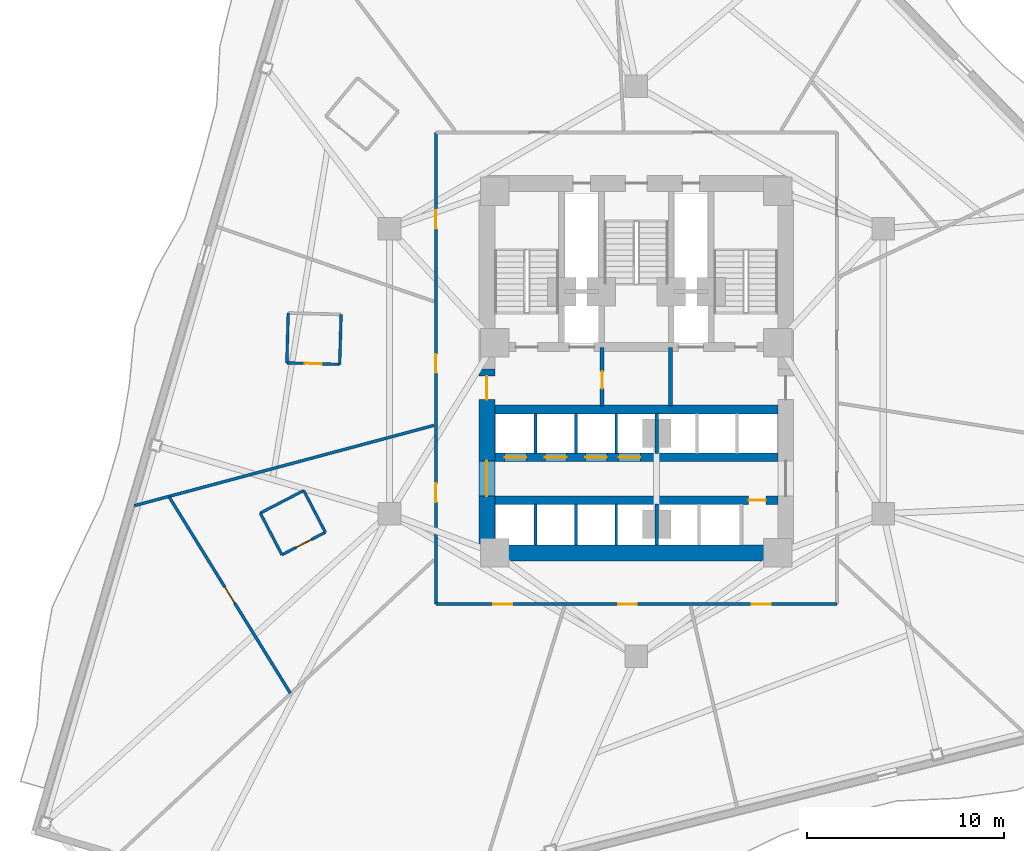
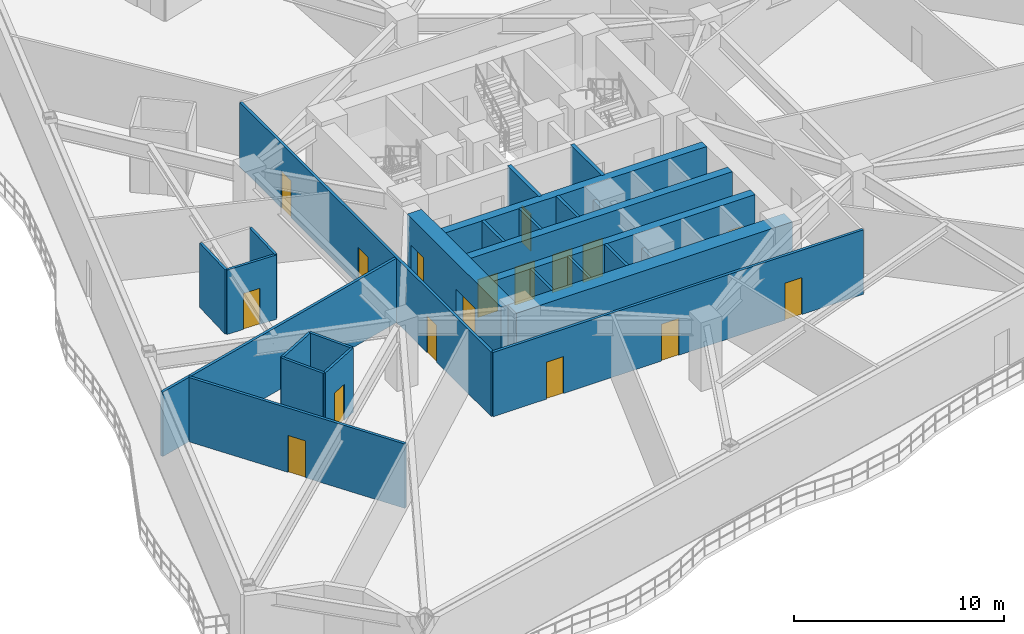
# One storey, part 3 of 10: 26 walls, 17 doors, 17 openings.
"""IFC4 building model written with IfcOpenShell, lengths in metres."""

from ifc_helpers import new_model, si_unit, direction, frame, frame_2d, origin, place, context, subcontext, project, spatial, rectangle, extrude, material, layer, layer_set, type_object, element, fill, save


model = new_model("IFC4")

# Units and contexts
model_context = context("Model", 3, precision=1e-05, world=origin(), true_north=direction((0.0, 1.0)))
body_context = subcontext(model_context, "Body", "Model", "MODEL_VIEW")
ifc_project = project(units=[si_unit("LENGTHUNIT", "METRE"), si_unit("AREAUNIT", "SQUARE_METRE"), si_unit("VOLUMEUNIT", "CUBIC_METRE"), si_unit("PLANEANGLEUNIT", "RADIAN"), si_unit("MASSUNIT", "GRAM", prefix="KILO")], contexts=[model_context])

# Site, building, storey
site_placement = place(None, origin())
site = spatial("IfcSite", under=ifc_project, at=site_placement, CompositionType="ELEMENT")
building_placement = place(site_placement, origin())
building = spatial("IfcBuilding", under=site, at=building_placement, Name="Apsidion Concourse Tower", CompositionType="ELEMENT")
storey_placement = place(building_placement, frame((0.0, 0.0, 115.0)))
storey = spatial("IfcBuildingStorey", under=building, at=storey_placement, Name="L26", CompositionType="ELEMENT", Elevation=115.0)

# Walls
ifc_material_1 = material(Name="Gypsum plasterboard partition")
ifc_layer_1 = layer(ifc_material_1, 0.139892578125)
ifc_layer_set_1 = layer_set([ifc_layer_1], Name="Gypsum plasterboard partition")
wall_type_1 = type_object("IfcWallType", Name="WL-INT-PAR-140", PredefinedType="PARTITIONING", material=ifc_layer_set_1)
wall_1_placement = place(storey_placement, frame((-16.921875, -6.073486328125, 0.0), z_axis=(0.0, 0.0, 1.0), x_axis=(-0.887781243054, -0.460265645559, 0.0)))
element("IfcWall", 1, at=wall_1_placement, inside=storey, type_object=wall_type_1, Name="L26 Interior Partition WL-L26-POD-HKAWC-S1", PredefinedType="PARTITIONING", context=body_context, shape_type="SweptSolid", body=[
    extrude(rectangle(XDim=2.48974609375, YDim=0.139892578125, at=frame_2d((1.244873046875, 0.0))), origin(), (0.0, 0.0, 1.0), 3.75),
])
wall_2_placement = place(storey_placement, frame((-19.13232421875, -7.219482421875, 0.0), z_axis=(0.0, 0.0, 1.0), x_axis=(0.460200871333, -0.887814821922, 0.0)))
element("IfcWall", 2, at=wall_2_placement, inside=storey, type_object=wall_type_1, Name="L26 Interior Partition WL-L26-POD-HKAWC-S2", PredefinedType="PARTITIONING", context=body_context, shape_type="SweptSolid", body=[
    extrude(rectangle(XDim=2.389892578125, YDim=0.139892578125, at=frame_2d((1.19482421875, 0.0))), origin(), (0.0, 0.0, 1.0), 3.75),
])

# Wall, opening, door
wall_3_placement = place(storey_placement, frame((-18.032470703125, -9.34130859375, 0.0), z_axis=(0.0, 0.0, 1.0), x_axis=(0.887821307868, 0.460188358496, 0.0)))
wall_3 = element("IfcWall", 3, at=wall_3_placement, inside=storey, type_object=wall_type_1, Name="L26 Interior Partition WL-L26-POD-HKAWC-S3", PredefinedType="PARTITIONING", context=body_context, shape_type="SweptSolid", body=[
    extrude(rectangle(XDim=2.48974609375, YDim=0.139892578125, at=frame_2d((1.244873046875, 0.0))), origin(), (0.0, 0.0, 1.0), 3.75),
])
opening_1_placement = place(wall_3_placement, frame((0.804931640625, 0.0, 0.0)))
opening_1 = element("IfcOpeningElement", 4, at=opening_1_placement, cuts=wall_3, Name="Opening D-03L", PredefinedType="OPENING", context=body_context, shape_type="SweptSolid", body=[
    extrude(rectangle(XDim=0.8798828125, YDim=2.10009765625, at=frame_2d((0.43994140625, 1.050048828125))), frame((0.0, 0.080078125, 0.0), z_axis=(0.0, -1.0, 0.0), x_axis=(1.0, 0.0, 0.0)), (0.0, 0.0, 1.0), 0.159912109375),
])
ifc_material_2 = material(Name="Anodised aluminium EN AW-6063 T6", Category="aluminium")
door_type_1 = type_object("IfcDoorType", Name="DR-INT-D03L", OperationType="SINGLE_SWING_LEFT", PredefinedType="DOOR", material=ifc_material_2)
door_1_placement = place(opening_1_placement, origin())
door_1 = element("IfcDoor", 5, at=door_1_placement, inside=storey, type_object=door_type_1, Name="L26 Hotel Accessible WC Door HKAWC", OperationType="SINGLE_SWING_LEFT", OverallHeight=2.10009765625, OverallWidth=0.8798828125, PredefinedType="DOOR", context=body_context, shape_type="SweptSolid", body=[
    extrude(rectangle(XDim=0.8798828125, YDim=2.10009765625, at=frame_2d((0.43994140625, 1.050048828125))), frame((0.0, 0.02490234375, 0.0), z_axis=(0.0, -1.0, 0.0), x_axis=(1.0, 0.0, 0.0)), (0.0, 0.0, 1.0), 0.050048828125),
])
fill(opening_1, door_1)

# Walls
wall_4_placement = place(storey_placement, frame((-15.822021484375, -8.195556640625, 0.0), z_axis=(0.0, 0.0, 1.0), x_axis=(-0.460159137491, 0.887836453511, 0.0)))
element("IfcWall", 6, at=wall_4_placement, inside=storey, type_object=wall_type_1, Name="L26 Interior Partition WL-L26-POD-HKAWC-S4", PredefinedType="PARTITIONING", context=body_context, shape_type="SweptSolid", body=[
    extrude(rectangle(XDim=2.39013671875, YDim=0.139892578125, at=frame_2d((1.195068359375, 0.0))), origin(), (0.0, 0.0, 1.0), 3.75),
])
wall_5_placement = place(storey_placement, frame((-17.711181640625, 2.959716796875, 0.0), z_axis=(0.0, 0.0, 1.0), x_axis=(-0.027873780836, -0.999611450686, 0.0)))
element("IfcWall", 7, at=wall_5_placement, inside=storey, type_object=wall_type_1, Name="L26 Interior Partition WL-L26-POD-ENS10-S2", PredefinedType="PARTITIONING", context=body_context, shape_type="SweptSolid", body=[
    extrude(rectangle(XDim=2.5400390625, YDim=0.139892578125, at=frame_2d((1.27001953125, 0.0))), origin(), (0.0, 0.0, 1.0), 3.75),
])

# Wall, opening, door
wall_6_placement = place(storey_placement, frame((-17.781982421875, 0.420654296875, 0.0), z_axis=(0.0, 0.0, 1.0), x_axis=(0.999609225093, -0.027953481145, 0.0)))
wall_6 = element("IfcWall", 8, at=wall_6_placement, inside=storey, type_object=wall_type_1, Name="L26 Interior Partition WL-L26-POD-ENS10-S3", PredefinedType="PARTITIONING", context=body_context, shape_type="SweptSolid", body=[
    extrude(rectangle(XDim=2.68994140625, YDim=0.139892578125, at=frame_2d((1.344970703125, 0.0))), origin(), (0.0, 0.0, 1.0), 3.75),
])
opening_2_placement = place(wall_6_placement, frame((0.905029296875, 0.0, 0.0)))
opening_2 = element("IfcOpeningElement", 9, at=opening_2_placement, cuts=wall_6, Name="Opening D-03L", PredefinedType="OPENING", context=body_context, shape_type="SweptSolid", body=[
    extrude(rectangle(XDim=0.8798828125, YDim=2.10009765625, at=frame_2d((0.43994140625, 1.050048828125))), frame((0.0, 0.080078125, 0.0), z_axis=(0.0, -1.0, 0.0), x_axis=(1.0, 0.0, 0.0)), (0.0, 0.0, 1.0), 0.159912109375),
])
door_2_placement = place(opening_2_placement, origin())
door_2 = element("IfcDoor", 10, at=door_2_placement, inside=storey, type_object=door_type_1, Name="L26 Guest En-Suite Bathroom Door ENS10", OperationType="SINGLE_SWING_LEFT", OverallHeight=2.10009765625, OverallWidth=0.8798828125, PredefinedType="DOOR", context=body_context, shape_type="SweptSolid", body=[
    extrude(rectangle(XDim=0.8798828125, YDim=2.10009765625, at=frame_2d((0.43994140625, 1.050048828125))), frame((0.0, 0.02490234375, 0.0), z_axis=(0.0, -1.0, 0.0), x_axis=(1.0, 0.0, 0.0)), (0.0, 0.0, 1.0), 0.050048828125),
])
fill(opening_2, door_2)

# Walls
wall_7_placement = place(storey_placement, frame((-15.093017578125, 0.345458984375, 0.0), z_axis=(0.0, 0.0, 1.0), x_axis=(0.027873780836, 0.999611450686, 0.0)))
element("IfcWall", 11, at=wall_7_placement, inside=storey, type_object=wall_type_1, Name="L26 Interior Partition WL-L26-POD-ENS10-S4", PredefinedType="PARTITIONING", context=body_context, shape_type="SweptSolid", body=[
    extrude(rectangle(XDim=2.5400390625, YDim=0.139892578125, at=frame_2d((1.27001953125, 0.0))), origin(), (0.0, 0.0, 1.0), 3.75),
])
ifc_layer_2 = layer(ifc_material_1, 0.14990234375)
ifc_layer_set_2 = layer_set([ifc_layer_2], Name="Gypsum plasterboard partition")
wall_type_2 = type_object("IfcWallType", Name="WL-INT-PAR-150", PredefinedType="PARTITIONING", material=ifc_layer_set_2)
for number, where, z_axis, x_axis, name in (
    (12, (-5.125, -4.179931640625, 0.0), (0.0, 0.0, 1.0), (0.0, 1.0, 0.0), "L26 Interior Partition WL-L26-B1DIV-1"),
    (13, (-3.074951171875, -4.179931640625, 0.0), (0.0, 0.0, 1.0), (0.0, 1.0, 0.0), "L26 Interior Partition WL-L26-B1DIV-2"),
    (14, (-1.02490234375, -4.179931640625, 0.0), (0.0, 0.0, 1.0), (0.0, 1.0, 0.0), "L26 Interior Partition WL-L26-B1DIV-3"),
):
    element("IfcWall", number, at=place(storey_placement, frame(where, z_axis=z_axis, x_axis=x_axis)), inside=storey, type_object=wall_type_2, Name=name, PredefinedType="PARTITIONING", context=body_context, shape_type="SweptSolid", body=[
        extrude(rectangle(XDim=2.030029296875, YDim=0.14990234375, at=frame_2d((1.01513671875, 0.0))), origin(), (0.0, 0.0, 1.0), 3.75),
    ])
for number, where, z_axis, x_axis, name in (
    (15, (-5.125, -8.85009765625, 0.0), (0.0, 0.0, 1.0), (0.0, 1.0, 0.0), "L26 Interior Partition WL-L26-B2DIV-1"),
    (16, (-3.074951171875, -8.85009765625, 0.0), (0.0, 0.0, 1.0), (0.0, 1.0, 0.0), "L26 Interior Partition WL-L26-B2DIV-2"),
    (17, (-1.02490234375, -8.85009765625, 0.0), (0.0, 0.0, 1.0), (0.0, 1.0, 0.0), "L26 Interior Partition WL-L26-B2DIV-3"),
):
    element("IfcWall", number, at=place(storey_placement, frame(where, z_axis=z_axis, x_axis=x_axis)), inside=storey, type_object=wall_type_2, Name=name, PredefinedType="PARTITIONING", context=body_context, shape_type="SweptSolid", body=[
        extrude(rectangle(XDim=2.080078125, YDim=0.14990234375, at=frame_2d((1.0400390625, 0.0))), origin(), (0.0, 0.0, 1.0), 3.75),
    ])

# Wall, openings, doors
wall_8_placement = place(storey_placement, frame((10.199951171875, -11.85009765625, 0.0), z_axis=(0.0, 0.0, 1.0), x_axis=(-1.0, 0.0, 0.0)))
wall_8 = element("IfcWall", 18, at=wall_8_placement, inside=storey, type_object=wall_type_2, Name="L26 Interior Partition WL-L26-CORR-03", PredefinedType="PARTITIONING", context=body_context, shape_type="SweptSolid", body=[
    extrude(rectangle(XDim=20.39990234375, YDim=0.14990234375, at=frame_2d((10.199951171875, 0.0))), origin(), (0.0, 0.0, 1.0), 3.75),
])
opening_3_placement = place(wall_8_placement, frame((16.522216796875, 0.0, 0.0)))
opening_3 = element("IfcOpeningElement", 19, at=opening_3_placement, cuts=wall_8, Name="Opening D-01R", PredefinedType="OPENING", context=body_context, shape_type="SweptSolid", body=[
    extrude(rectangle(XDim=0.949951171875, YDim=2.14990234375, at=frame_2d((0.47509765625, 1.074951171875))), frame((0.0, 0.0849609375, 0.0), z_axis=(0.0, -1.0, 0.0), x_axis=(1.0, 0.0, 0.0)), (0.0, 0.0, 1.0), 0.169921875),
])
opening_4_placement = place(wall_8_placement, frame((10.171875, 0.0, 0.0)))
opening_4 = element("IfcOpeningElement", 20, at=opening_4_placement, cuts=wall_8, Name="Opening D-01L", PredefinedType="OPENING", context=body_context, shape_type="SweptSolid", body=[
    extrude(rectangle(XDim=0.949951171875, YDim=2.14990234375, at=frame_2d((0.47509765625, 1.074951171875))), frame((0.0, 0.0849609375, 0.0), z_axis=(0.0, -1.0, 0.0), x_axis=(1.0, 0.0, 0.0)), (0.0, 0.0, 1.0), 0.169921875),
])
opening_5_placement = place(wall_8_placement, frame((3.37451171875, 0.0, 0.0)))
opening_5 = element("IfcOpeningElement", 21, at=opening_5_placement, cuts=wall_8, Name="Opening D-01R", PredefinedType="OPENING", context=body_context, shape_type="SweptSolid", body=[
    extrude(rectangle(XDim=0.949951171875, YDim=2.14990234375, at=frame_2d((0.47509765625, 1.074951171875))), frame((0.0, 0.0849609375, 0.0), z_axis=(0.0, -1.0, 0.0), x_axis=(1.0, 0.0, 0.0)), (0.0, 0.0, 1.0), 0.169921875),
])
ifc_material_3 = material(Name="Brushed stainless steel 316", Category="steel")
door_type_2 = type_object("IfcDoorType", Name="DR-INT-D01L", OperationType="SINGLE_SWING_LEFT", PredefinedType="DOOR", material=ifc_material_3)
door_3_placement = place(opening_4_placement, origin())
door_3 = element("IfcDoor", 22, at=door_3_placement, inside=storey, type_object=door_type_2, Name="L26 Corridor Entry Door 03", OperationType="SINGLE_SWING_LEFT", OverallHeight=2.14990234375, OverallWidth=0.949951171875, PredefinedType="DOOR", context=body_context, shape_type="SweptSolid", body=[
    extrude(rectangle(XDim=0.949951171875, YDim=2.14990234375, at=frame_2d((0.47509765625, 1.074951171875))), frame((0.0, 0.02490234375, 0.0), z_axis=(0.0, -1.0, 0.0), x_axis=(1.0, 0.0, 0.0)), (0.0, 0.0, 1.0), 0.050048828125),
])
fill(opening_4, door_3)
door_type_3 = type_object("IfcDoorType", Name="DR-INT-D01R", OperationType="SINGLE_SWING_RIGHT", PredefinedType="DOOR", material=ifc_material_3)
door_4_placement = place(opening_3_placement, origin())
door_4 = element("IfcDoor", 23, at=door_4_placement, inside=storey, type_object=door_type_3, Name="L26 Corridor Entry Door 02", OperationType="SINGLE_SWING_RIGHT", OverallHeight=2.14990234375, OverallWidth=0.949951171875, PredefinedType="DOOR", context=body_context, shape_type="SweptSolid", body=[
    extrude(rectangle(XDim=0.949951171875, YDim=2.14990234375, at=frame_2d((0.47509765625, 1.074951171875))), frame((0.0, 0.02490234375, 0.0), z_axis=(0.0, -1.0, 0.0), x_axis=(1.0, 0.0, 0.0)), (0.0, 0.0, 1.0), 0.050048828125),
])
fill(opening_3, door_4)
door_5_placement = place(opening_5_placement, origin())
door_5 = element("IfcDoor", 24, at=door_5_placement, inside=storey, type_object=door_type_3, Name="L26 Corridor Entry Door 04", OperationType="SINGLE_SWING_RIGHT", OverallHeight=2.14990234375, OverallWidth=0.949951171875, PredefinedType="DOOR", context=body_context, shape_type="SweptSolid", body=[
    extrude(rectangle(XDim=0.949951171875, YDim=2.14990234375, at=frame_2d((0.47509765625, 1.074951171875))), frame((0.0, 0.02490234375, 0.0), z_axis=(0.0, -1.0, 0.0), x_axis=(1.0, 0.0, 0.0)), (0.0, 0.0, 1.0), 0.050048828125),
])
fill(opening_5, door_5)

wall_9_placement = place(storey_placement, frame((-10.199951171875, -11.85009765625, 0.0), z_axis=(0.0, 0.0, 1.0), x_axis=(0.0, 1.0, 0.0)))
wall_9 = element("IfcWall", 25, at=wall_9_placement, inside=storey, type_object=wall_type_2, Name="L26 Interior Partition WL-L26-CORR-04", PredefinedType="PARTITIONING", context=body_context, shape_type="SweptSolid", body=[
    extrude(rectangle(XDim=24.0, YDim=0.14990234375, at=frame_2d((12.0, 0.0))), origin(), (0.0, 0.0, 1.0), 3.75),
])
opening_6_placement = place(wall_9_placement, frame((5.1865234375, 0.0, 0.0)))
opening_6 = element("IfcOpeningElement", 26, at=opening_6_placement, cuts=wall_9, Name="Opening D-01L", PredefinedType="OPENING", context=body_context, shape_type="SweptSolid", body=[
    extrude(rectangle(XDim=0.949951171875, YDim=2.14990234375, at=frame_2d((0.47509765625, 1.074951171875))), frame((0.0, 0.0849609375, 0.0), z_axis=(0.0, -1.0, 0.0), x_axis=(1.0, 0.0, 0.0)), (0.0, 0.0, 1.0), 0.169921875),
])
opening_7_placement = place(wall_9_placement, frame((19.094482421875, 0.0, 0.0)))
opening_7 = element("IfcOpeningElement", 27, at=opening_7_placement, cuts=wall_9, Name="Opening D-01R", PredefinedType="OPENING", context=body_context, shape_type="SweptSolid", body=[
    extrude(rectangle(XDim=0.949951171875, YDim=2.14990234375, at=frame_2d((0.47509765625, 1.074951171875))), frame((0.0, 0.0849609375, 0.0), z_axis=(0.0, -1.0, 0.0), x_axis=(1.0, 0.0, 0.0)), (0.0, 0.0, 1.0), 0.169921875),
])
opening_8_placement = place(wall_9_placement, frame((11.767333984375, 0.0, 0.0)))
opening_8 = element("IfcOpeningElement", 28, at=opening_8_placement, cuts=wall_9, Name="Opening D-01L", PredefinedType="OPENING", context=body_context, shape_type="SweptSolid", body=[
    extrude(rectangle(XDim=0.949951171875, YDim=2.14990234375, at=frame_2d((0.47509765625, 1.074951171875))), frame((0.0, 0.0849609375, 0.0), z_axis=(0.0, -1.0, 0.0), x_axis=(1.0, 0.0, 0.0)), (0.0, 0.0, 1.0), 0.169921875),
])
door_6_placement = place(opening_6_placement, origin())
door_6 = element("IfcDoor", 29, at=door_6_placement, inside=storey, type_object=door_type_2, Name="L26 Corridor Entry Door 01", OperationType="SINGLE_SWING_LEFT", OverallHeight=2.14990234375, OverallWidth=0.949951171875, PredefinedType="DOOR", context=body_context, shape_type="SweptSolid", body=[
    extrude(rectangle(XDim=0.949951171875, YDim=2.14990234375, at=frame_2d((0.47509765625, 1.074951171875))), frame((0.0, 0.02490234375, 0.0), z_axis=(0.0, -1.0, 0.0), x_axis=(1.0, 0.0, 0.0)), (0.0, 0.0, 1.0), 0.050048828125),
])
fill(opening_6, door_6)
door_7_placement = place(opening_8_placement, origin())
door_7 = element("IfcDoor", 30, at=door_7_placement, inside=storey, type_object=door_type_2, Name="L26 Corridor Entry Door 11", OperationType="SINGLE_SWING_LEFT", OverallHeight=2.14990234375, OverallWidth=0.949951171875, PredefinedType="DOOR", context=body_context, shape_type="SweptSolid", body=[
    extrude(rectangle(XDim=0.949951171875, YDim=2.14990234375, at=frame_2d((0.47509765625, 1.074951171875))), frame((0.0, 0.02490234375, 0.0), z_axis=(0.0, -1.0, 0.0), x_axis=(1.0, 0.0, 0.0)), (0.0, 0.0, 1.0), 0.050048828125),
])
fill(opening_8, door_7)
door_8_placement = place(opening_7_placement, origin())
door_8 = element("IfcDoor", 31, at=door_8_placement, inside=storey, type_object=door_type_3, Name="L26 Corridor Entry Door 10", OperationType="SINGLE_SWING_RIGHT", OverallHeight=2.14990234375, OverallWidth=0.949951171875, PredefinedType="DOOR", context=body_context, shape_type="SweptSolid", body=[
    extrude(rectangle(XDim=0.949951171875, YDim=2.14990234375, at=frame_2d((0.47509765625, 1.074951171875))), frame((0.0, 0.02490234375, 0.0), z_axis=(0.0, -1.0, 0.0), x_axis=(1.0, 0.0, 0.0)), (0.0, 0.0, 1.0), 0.050048828125),
])
fill(opening_7, door_8)

# Wall
wall_10_placement = place(storey_placement, frame((-10.304931640625, -2.76123046875, 0.0), z_axis=(0.0, 0.0, 1.0), x_axis=(-0.965926903589, -0.258815024531, 0.0)))
element("IfcWall", 32, at=wall_10_placement, inside=storey, type_object=wall_type_2, Name="L26 Interior Partition WL-L26-RAD-06-1", PredefinedType="PARTITIONING", context=body_context, shape_type="SweptSolid", body=[
    extrude(rectangle(XDim=15.768310546875, YDim=0.14990234375, at=frame_2d((7.88427734375, 0.0))), origin(), (0.0, 0.0, 1.0), 3.75),
])

# Wall, opening, door
wall_11_placement = place(storey_placement, frame((-23.771240234375, -6.3955078125, 0.0), z_axis=(0.0, 0.0, 1.0), x_axis=(0.525453466411, -0.850822340232, 0.0)))
wall_11 = element("IfcWall", 33, at=wall_11_placement, inside=storey, type_object=wall_type_2, Name="L26 Interior Partition WL-L26-CHD-HKWC", PredefinedType="PARTITIONING", context=body_context, shape_type="SweptSolid", body=[
    extrude(rectangle(XDim=11.737060546875, YDim=0.14990234375, at=frame_2d((5.86865234375, 0.0))), origin(), (0.0, 0.0, 1.0), 3.75),
])
opening_9_placement = place(wall_11_placement, frame((5.3935546875, 0.0, 0.0)))
opening_9 = element("IfcOpeningElement", 34, at=opening_9_placement, cuts=wall_11, Name="Opening D-04R", PredefinedType="OPENING", context=body_context, shape_type="SweptSolid", body=[
    extrude(rectangle(XDim=0.949951171875, YDim=2.14990234375, at=frame_2d((0.47509765625, 1.074951171875))), frame((0.0, 0.0849609375, 0.0), z_axis=(0.0, -1.0, 0.0), x_axis=(1.0, 0.0, 0.0)), (0.0, 0.0, 1.0), 0.169921875),
])
door_type_4 = type_object("IfcDoorType", Name="DR-INT-D04R", OperationType="SINGLE_SWING_RIGHT", PredefinedType="DOOR", material=ifc_material_3)
door_9_placement = place(opening_9_placement, origin())
door_9 = element("IfcDoor", 35, at=door_9_placement, inside=storey, type_object=door_type_4, Name="L26 Suite Connecting Door HKWC", OperationType="SINGLE_SWING_RIGHT", OverallHeight=2.14990234375, OverallWidth=0.949951171875, PredefinedType="DOOR", context=body_context, shape_type="SweptSolid", body=[
    extrude(rectangle(XDim=0.949951171875, YDim=2.14990234375, at=frame_2d((0.47509765625, 1.074951171875))), frame((0.0, 0.02490234375, 0.0), z_axis=(0.0, -1.0, 0.0), x_axis=(1.0, 0.0, 0.0)), (0.0, 0.0, 1.0), 0.050048828125),
])
fill(opening_9, door_9)

# Walls
ifc_layer_3 = layer(ifc_material_1, 0.179931640625)
ifc_layer_set_3 = layer_set([ifc_layer_3], Name="Gypsum plasterboard partition")
wall_type_3 = type_object("IfcWallType", Name="WL-INT-PAR-180", PredefinedType="PARTITIONING", material=ifc_layer_set_3)
wall_12_placement = place(storey_placement, frame((1.02490234375, -4.179931640625, 0.0), z_axis=(0.0, 0.0, 1.0), x_axis=(0.0, 1.0, 0.0)))
element("IfcWall", 36, at=wall_12_placement, inside=storey, type_object=wall_type_3, Name="L26 Interior Partition WL-L26-B1END", PredefinedType="PARTITIONING", context=body_context, shape_type="SweptSolid", body=[
    extrude(rectangle(XDim=2.030029296875, YDim=0.179931640625, at=frame_2d((1.01513671875, 0.0))), origin(), (0.0, 0.0, 1.0), 2.798095703125),
])
wall_13_placement = place(storey_placement, frame((1.02490234375, -8.85009765625, 0.0), z_axis=(0.0, 0.0, 1.0), x_axis=(0.0, 1.0, 0.0)))
element("IfcWall", 37, at=wall_13_placement, inside=storey, type_object=wall_type_3, Name="L26 Interior Partition WL-L26-B2END", PredefinedType="PARTITIONING", context=body_context, shape_type="SweptSolid", body=[
    extrude(rectangle(XDim=2.080078125, YDim=0.179931640625, at=frame_2d((1.0400390625, 0.0))), origin(), (0.0, 0.0, 1.0), 2.798095703125),
])

# Wall, opening, door
ifc_layer_4 = layer(ifc_material_1, 0.199951171875)
ifc_layer_set_4 = layer_set([ifc_layer_4], Name="Gypsum plasterboard partition")
wall_type_4 = type_object("IfcWallType", Name="WL-INT-PAR-200", PredefinedType="PARTITIONING", material=ifc_layer_set_4)
wall_14_placement = place(storey_placement, frame((-1.739990234375, -1.780029296875, 0.0), z_axis=(0.0, 0.0, 1.0), x_axis=(0.0, 1.0, 0.0)))
wall_14 = element("IfcWall", 38, at=wall_14_placement, inside=storey, type_object=wall_type_4, Name="L26 Interior Partition WL-L26-FF1-E", PredefinedType="PARTITIONING", context=body_context, shape_type="SweptSolid", body=[
    extrude(rectangle(XDim=2.97998046875, YDim=0.199951171875, at=frame_2d((1.489990234375, 0.0))), origin(), (0.0, 0.0, 1.0), 3.75),
])
opening_10_placement = place(wall_14_placement, frame((0.889892578125, 0.0, 0.0)))
opening_10 = element("IfcOpeningElement", 39, at=opening_10_placement, cuts=wall_14, Name="Opening D-05R", PredefinedType="OPENING", context=body_context, shape_type="SweptSolid", body=[
    extrude(rectangle(XDim=0.8798828125, YDim=2.14990234375, at=frame_2d((0.43994140625, 1.074951171875))), frame((0.0, 0.10986328125, 0.0), z_axis=(0.0, -1.0, 0.0), x_axis=(1.0, 0.0, 0.0)), (0.0, 0.0, 1.0), 0.219970703125),
])
door_type_5 = type_object("IfcDoorType", Name="DR-INT-D05R", OperationType="SINGLE_SWING_RIGHT", PredefinedType="DOOR", material=ifc_material_3)
door_10_placement = place(opening_10_placement, origin())
door_10 = element("IfcDoor", 40, at=door_10_placement, inside=storey, type_object=door_type_5, Name="L26 Core BMS Door", OperationType="SINGLE_SWING_RIGHT", OverallHeight=2.14990234375, OverallWidth=0.8798828125, PredefinedType="DOOR", context=body_context, shape_type="SweptSolid", body=[
    extrude(rectangle(XDim=0.8798828125, YDim=2.14990234375, at=frame_2d((0.43994140625, 1.074951171875))), frame((0.0, 0.02490234375, 0.0), z_axis=(0.0, -1.0, 0.0), x_axis=(1.0, 0.0, 0.0)), (0.0, 0.0, 1.0), 0.050048828125),
])
fill(opening_10, door_10)

# Walls
wall_15_placement = place(storey_placement, frame((1.739990234375, -1.780029296875, 0.0), z_axis=(0.0, 0.0, 1.0), x_axis=(0.0, 1.0, 0.0)))
element("IfcWall", 41, at=wall_15_placement, inside=storey, type_object=wall_type_4, Name="L26 Interior Partition WL-L26-FF2-W", PredefinedType="PARTITIONING", context=body_context, shape_type="SweptSolid", body=[
    extrude(rectangle(XDim=2.97998046875, YDim=0.199951171875, at=frame_2d((1.489990234375, 0.0))), origin(), (0.0, 0.0, 1.0), 3.75),
])
ifc_material_4 = material(Name="Concrete C60/75", Category="concrete")
ifc_layer_5 = layer(ifc_material_4, 0.449951171875)
ifc_layer_set_5 = layer_set([ifc_layer_5], Name="Concrete C60/75")
wall_type_5 = type_object("IfcWallType", Name="WL-SH-450", PredefinedType="SHEAR", material=ifc_layer_set_5)
wall_16_placement = place(storey_placement, frame((-7.199951171875, -1.949951171875, 0.0), z_axis=(0.0, 0.0, 1.0), x_axis=(1.0, 0.0, 0.0)))
element("IfcWall", 42, at=wall_16_placement, inside=storey, type_object=wall_type_5, Name="L26 Central Core Shear Wall M2", PredefinedType="SHEAR", context=body_context, shape_type="SweptSolid", body=[
    extrude(rectangle(XDim=14.39990234375, YDim=0.449951171875, at=frame_2d((7.199951171875, 0.0))), origin(), (0.0, 0.0, 1.0), 3.75),
])

# Wall, openings, doors
wall_17_placement = place(storey_placement, frame((-7.199951171875, -4.3798828125, 0.0), z_axis=(0.0, 0.0, 1.0), x_axis=(1.0, 0.0, 0.0)))
wall_17 = element("IfcWall", 43, at=wall_17_placement, inside=storey, type_object=wall_type_5, Name="L26 Central Core Shear Wall LA", PredefinedType="SHEAR", context=body_context, shape_type="SweptSolid", body=[
    extrude(rectangle(XDim=14.39990234375, YDim=0.449951171875, at=frame_2d((7.199951171875, 0.0))), origin(), (0.0, 0.0, 1.0), 3.75),
])
opening_11_placement = place(wall_17_placement, frame((0.5, 0.0, 0.0)))
opening_11 = element("IfcOpeningElement", 44, at=opening_11_placement, cuts=wall_17, Name="Opening LD-P1", PredefinedType="OPENING", context=body_context, shape_type="SweptSolid", body=[
    extrude(rectangle(XDim=1.10009765625, YDim=2.199951171875, at=frame_2d((0.550048828125, 1.10009765625))), frame((0.0, 0.23486328125, 0.0), z_axis=(0.0, -1.0, 0.0), x_axis=(1.0, 0.0, 0.0)), (0.0, 0.0, 1.0), 0.469970703125),
])
opening_12_placement = place(wall_17_placement, frame((2.550048828125, 0.0, 0.0)))
opening_12 = element("IfcOpeningElement", 45, at=opening_12_placement, cuts=wall_17, Name="Opening LD-P1", PredefinedType="OPENING", context=body_context, shape_type="SweptSolid", body=[
    extrude(rectangle(XDim=1.10009765625, YDim=2.199951171875, at=frame_2d((0.550048828125, 1.10009765625))), frame((0.0, 0.23486328125, 0.0), z_axis=(0.0, -1.0, 0.0), x_axis=(1.0, 0.0, 0.0)), (0.0, 0.0, 1.0), 0.469970703125),
])
opening_13_placement = place(wall_17_placement, frame((4.60009765625, 0.0, 0.0)))
opening_13 = element("IfcOpeningElement", 46, at=opening_13_placement, cuts=wall_17, Name="Opening LD-P1", PredefinedType="OPENING", context=body_context, shape_type="SweptSolid", body=[
    extrude(rectangle(XDim=1.10009765625, YDim=2.199951171875, at=frame_2d((0.550048828125, 1.10009765625))), frame((0.0, 0.23486328125, 0.0), z_axis=(0.0, -1.0, 0.0), x_axis=(1.0, 0.0, 0.0)), (0.0, 0.0, 1.0), 0.469970703125),
])
opening_14_placement = place(wall_17_placement, frame((6.300048828125, 0.0, 0.0)))
opening_14 = element("IfcOpeningElement", 47, at=opening_14_placement, cuts=wall_17, Name="Opening LD-P1", PredefinedType="OPENING", context=body_context, shape_type="SweptSolid", body=[
    extrude(rectangle(XDim=1.10009765625, YDim=2.199951171875, at=frame_2d((0.550048828125, 1.10009765625))), frame((0.0, 0.23486328125, 0.0), z_axis=(0.0, -1.0, 0.0), x_axis=(1.0, 0.0, 0.0)), (0.0, 0.0, 1.0), 0.469970703125),
])
door_type_6 = type_object("IfcDoorType", Name="DR-LD-PASS", OperationType="DOUBLE_DOOR_SLIDING", PredefinedType="DOOR", material=ifc_material_3)
door_11_placement = place(opening_11_placement, origin())
door_11 = element("IfcDoor", 48, at=door_11_placement, inside=storey, type_object=door_type_6, Name="L26 Lift Landing Door P1", OperationType="DOUBLE_DOOR_SLIDING", OverallHeight=2.199951171875, OverallWidth=1.10009765625, PredefinedType="DOOR", context=body_context, shape_type="SweptSolid", body=[
    extrude(rectangle(XDim=1.10009765625, YDim=2.199951171875, at=frame_2d((0.550048828125, 1.10009765625))), frame((0.0, 0.02490234375, 0.0), z_axis=(0.0, -1.0, 0.0), x_axis=(1.0, 0.0, 0.0)), (0.0, 0.0, 1.0), 0.050048828125),
])
fill(opening_11, door_11)
door_12_placement = place(opening_12_placement, origin())
door_12 = element("IfcDoor", 49, at=door_12_placement, inside=storey, type_object=door_type_6, Name="L26 Lift Landing Door P2", OperationType="DOUBLE_DOOR_SLIDING", OverallHeight=2.199951171875, OverallWidth=1.10009765625, PredefinedType="DOOR", context=body_context, shape_type="SweptSolid", body=[
    extrude(rectangle(XDim=1.10009765625, YDim=2.199951171875, at=frame_2d((0.550048828125, 1.10009765625))), frame((0.0, 0.02490234375, 0.0), z_axis=(0.0, -1.0, 0.0), x_axis=(1.0, 0.0, 0.0)), (0.0, 0.0, 1.0), 0.050048828125),
])
fill(opening_12, door_12)
door_13_placement = place(opening_13_placement, origin())
door_13 = element("IfcDoor", 50, at=door_13_placement, inside=storey, type_object=door_type_6, Name="L26 Lift Landing Door P3", OperationType="DOUBLE_DOOR_SLIDING", OverallHeight=2.199951171875, OverallWidth=1.10009765625, PredefinedType="DOOR", context=body_context, shape_type="SweptSolid", body=[
    extrude(rectangle(XDim=1.10009765625, YDim=2.199951171875, at=frame_2d((0.550048828125, 1.10009765625))), frame((0.0, 0.02490234375, 0.0), z_axis=(0.0, -1.0, 0.0), x_axis=(1.0, 0.0, 0.0)), (0.0, 0.0, 1.0), 0.050048828125),
])
fill(opening_13, door_13)
door_14_placement = place(opening_14_placement, origin())
door_14 = element("IfcDoor", 51, at=door_14_placement, inside=storey, type_object=door_type_6, Name="L26 Lift Landing Door P4", OperationType="DOUBLE_DOOR_SLIDING", OverallHeight=2.199951171875, OverallWidth=1.10009765625, PredefinedType="DOOR", context=body_context, shape_type="SweptSolid", body=[
    extrude(rectangle(XDim=1.10009765625, YDim=2.199951171875, at=frame_2d((0.550048828125, 1.10009765625))), frame((0.0, 0.02490234375, 0.0), z_axis=(0.0, -1.0, 0.0), x_axis=(1.0, 0.0, 0.0)), (0.0, 0.0, 1.0), 0.050048828125),
])
fill(opening_14, door_14)

# Wall, opening, door
wall_18_placement = place(storey_placement, frame((-7.199951171875, -6.570068359375, 0.0), z_axis=(0.0, 0.0, 1.0), x_axis=(1.0, 0.0, 0.0)))
wall_18 = element("IfcWall", 52, at=wall_18_placement, inside=storey, type_object=wall_type_5, Name="L26 Central Core Shear Wall LB", PredefinedType="SHEAR", context=body_context, shape_type="SweptSolid", body=[
    extrude(rectangle(XDim=14.39990234375, YDim=0.449951171875, at=frame_2d((7.199951171875, 0.0))), origin(), (0.0, 0.0, 1.0), 3.75),
])
opening_15_placement = place(wall_18_placement, frame((12.909912109375, 0.0, 0.0)))
opening_15 = element("IfcOpeningElement", 53, at=opening_15_placement, cuts=wall_18, Name="Opening D-05L", PredefinedType="OPENING", context=body_context, shape_type="SweptSolid", body=[
    extrude(rectangle(XDim=0.8798828125, YDim=2.14990234375, at=frame_2d((0.43994140625, 1.074951171875))), frame((0.0, 0.23486328125, 0.0), z_axis=(0.0, -1.0, 0.0), x_axis=(1.0, 0.0, 0.0)), (0.0, 0.0, 1.0), 0.469970703125),
])
door_type_7 = type_object("IfcDoorType", Name="DR-INT-D05L", OperationType="SINGLE_SWING_LEFT", PredefinedType="DOOR", material=ifc_material_3)
door_15_placement = place(opening_15_placement, origin())
door_15 = element("IfcDoor", 54, at=door_15_placement, inside=storey, type_object=door_type_7, Name="L26 Cleaners Store Door", OperationType="SINGLE_SWING_LEFT", OverallHeight=2.14990234375, OverallWidth=0.8798828125, PredefinedType="DOOR", context=body_context, shape_type="SweptSolid", body=[
    extrude(rectangle(XDim=0.8798828125, YDim=2.14990234375, at=frame_2d((0.43994140625, 1.074951171875))), frame((0.0, 0.02490234375, 0.0), z_axis=(0.0, -1.0, 0.0), x_axis=(1.0, 0.0, 0.0)), (0.0, 0.0, 1.0), 0.050048828125),
])
fill(opening_15, door_15)

# Wall, openings, doors
ifc_layer_6 = layer(ifc_material_4, 0.800048828125)
ifc_layer_set_6 = layer_set([ifc_layer_6], Name="Concrete C60/75")
wall_type_6 = type_object("IfcWallType", Name="WL-SH-800", PredefinedType="SHEAR", material=ifc_layer_set_6)
wall_19_placement = place(storey_placement, frame((-7.60009765625, -8.85009765625, 0.0), z_axis=(0.0, 0.0, 1.0), x_axis=(0.0, 1.0, 0.0)))
wall_19 = element("IfcWall", 55, at=wall_19_placement, inside=storey, type_object=wall_type_6, Name="L26 Central Core Shear Wall WS", PredefinedType="SHEAR", context=body_context, shape_type="SweptSolid", body=[
    extrude(rectangle(XDim=8.9501953125, YDim=0.800048828125, at=frame_2d((4.47509765625, 0.0))), origin(), (0.0, 0.0, 1.0), 3.75),
])
opening_16_placement = place(wall_19_placement, frame((2.489990234375, 0.0, 0.0)))
opening_16 = element("IfcOpeningElement", 56, at=opening_16_placement, cuts=wall_19, Name="Opening D-06D", PredefinedType="OPENING", context=body_context, shape_type="SweptSolid", body=[
    extrude(rectangle(XDim=1.800048828125, YDim=2.199951171875, at=frame_2d((0.89990234375, 1.10009765625))), frame((0.0, 0.41015625, 0.0), z_axis=(0.0, -1.0, 0.0), x_axis=(1.0, 0.0, 0.0)), (0.0, 0.0, 1.0), 0.820068359375),
])
opening_17_placement = place(wall_19_placement, frame((7.39990234375, 0.0, 0.0)))
opening_17 = element("IfcOpeningElement", 57, at=opening_17_placement, cuts=wall_19, Name="Opening D-FFL", PredefinedType="OPENING", context=body_context, shape_type="SweptSolid", body=[
    extrude(rectangle(XDim=1.199951171875, YDim=2.14990234375, at=frame_2d((0.60009765625, 1.074951171875))), frame((0.0, 0.41015625, 0.0), z_axis=(0.0, -1.0, 0.0), x_axis=(1.0, 0.0, 0.0)), (0.0, 0.0, 1.0), 0.820068359375),
])
door_type_8 = type_object("IfcDoorType", Name="DR-INT-D06D", OperationType="DOUBLE_DOOR_SINGLE_SWING", PredefinedType="DOOR", material=ifc_material_3)
door_16_placement = place(opening_16_placement, origin())
door_16 = element("IfcDoor", 58, at=door_16_placement, inside=storey, type_object=door_type_8, Name="L26 Passenger Lift Lobby WS Portal Door", OperationType="DOUBLE_DOOR_SINGLE_SWING", OverallHeight=2.199951171875, OverallWidth=1.800048828125, PredefinedType="DOOR", context=body_context, shape_type="SweptSolid", body=[
    extrude(rectangle(XDim=1.800048828125, YDim=2.199951171875, at=frame_2d((0.89990234375, 1.10009765625))), frame((0.0, 0.02490234375, 0.0), z_axis=(0.0, -1.0, 0.0), x_axis=(1.0, 0.0, 0.0)), (0.0, 0.0, 1.0), 0.050048828125),
])
fill(opening_16, door_16)
door_type_9 = type_object("IfcDoorType", Name="DR-INT-FFL", OperationType="SINGLE_SWING_LEFT", PredefinedType="DOOR", material=ifc_material_3)
door_17_placement = place(opening_17_placement, origin())
door_17 = element("IfcDoor", 59, at=door_17_placement, inside=storey, type_object=door_type_9, Name="L26 Firefighting Lift Lobby FF1 Door", OperationType="SINGLE_SWING_LEFT", OverallHeight=2.14990234375, OverallWidth=1.199951171875, PredefinedType="DOOR", context=body_context, shape_type="SweptSolid", body=[
    extrude(rectangle(XDim=1.199951171875, YDim=2.14990234375, at=frame_2d((0.60009765625, 1.074951171875))), frame((0.0, 0.02490234375, 0.0), z_axis=(0.0, -1.0, 0.0), x_axis=(1.0, 0.0, 0.0)), (0.0, 0.0, 1.0), 0.050048828125),
])
fill(opening_17, door_17)

# Wall
wall_20_placement = place(storey_placement, frame((-7.60009765625, -9.25, 0.0), z_axis=(0.0, 0.0, 1.0), x_axis=(1.0, 0.0, 0.0)))
element("IfcWall", 60, at=wall_20_placement, inside=storey, type_object=wall_type_6, Name="L26 Central Core Shear Wall S", PredefinedType="SHEAR", context=body_context, shape_type="SweptSolid", body=[
    extrude(rectangle(XDim=15.2001953125, YDim=0.800048828125, at=frame_2d((7.60009765625, 0.0))), origin(), (0.0, 0.0, 1.0), 3.75),
])

save(model, "model.ifc")
